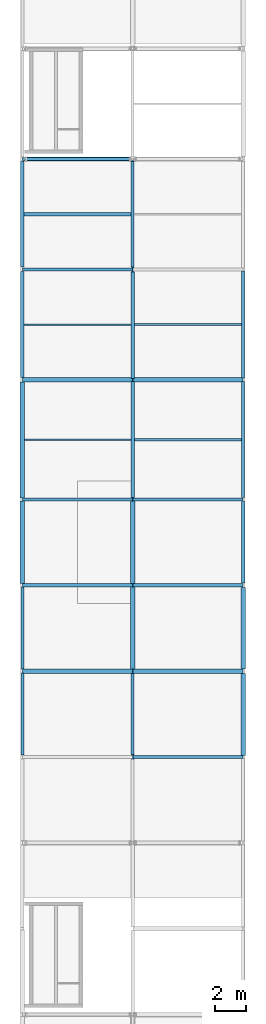
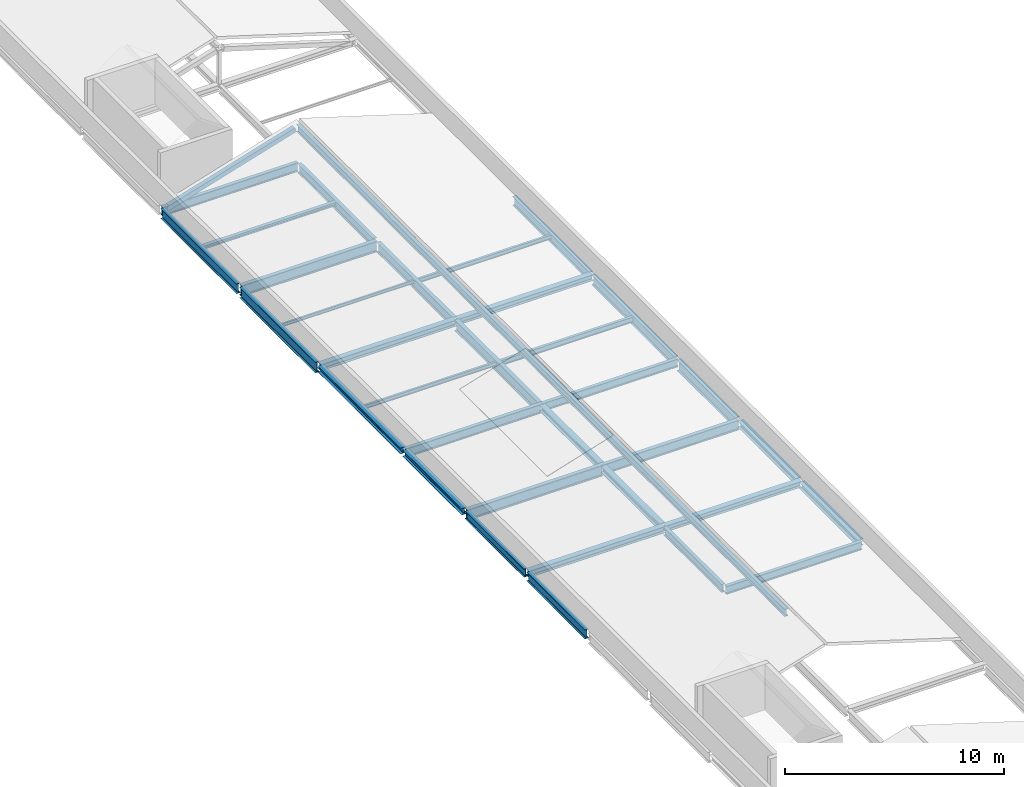
# One storey, part 2 of 9: 34 beams, 1 member.
"""IFC4 building model written with IfcOpenShell, lengths in metres."""

from ifc_helpers import new_model, si_unit, direction, frame, origin, origin_2d, place, context, subcontext, project, spatial, hollow_rectangle, i_section, extrude, material, material_profile, profile_set, type_object, element, save


model = new_model("IFC4")

# Units and contexts
model_context = context("Model", 3, precision=1e-05, world=origin(), true_north=direction((0.0, 1.0)))
body_context = subcontext(model_context, "Body", "Model", "MODEL_VIEW")
ifc_project = project(units=[si_unit("LENGTHUNIT", "METRE"), si_unit("AREAUNIT", "SQUARE_METRE"), si_unit("VOLUMEUNIT", "CUBIC_METRE"), si_unit("PLANEANGLEUNIT", "RADIAN"), si_unit("MASSUNIT", "GRAM", prefix="KILO")], contexts=[model_context])

# Site, building, storey
site_placement = place(None, origin())
site = spatial("IfcSite", under=ifc_project, at=site_placement, CompositionType="ELEMENT")
building_placement = place(site_placement, origin())
building = spatial("IfcBuilding", under=site, at=building_placement, Name="Vinh Khe Railworks Police Headquarters", CompositionType="ELEMENT")
storey_placement = place(building_placement, frame((0.0, 0.0, 36.60009765625)))
storey = spatial("IfcBuildingStorey", under=building, at=storey_placement, Name="RF", CompositionType="ELEMENT", Elevation=36.60009765625)

# Beams
ifc_material = material(Name="Steel S355JR", Category="steel")
ifc_material_profile_1 = material_profile(ifc_material, i_section(OverallWidth=0.199951171875, OverallDepth=0.18994140625, WebThickness=0.006591796875, FlangeThickness=0.010009765625, FilletRadius=0.01806640625, at=origin_2d()), Name="HEA 200")
ifc_profile_set_1 = profile_set([ifc_material_profile_1], Name="Steel S355JR")
beam_type_1 = type_object("IfcBeamType", Name="Secondary Joist HEA 200", PredefinedType="JOIST", material=ifc_profile_set_1)
beam_1_placement = place(storey_placement, frame((0.705078125, 77.39990234375, -0.275146484375), z_axis=(1.0, 0.0, 0.0), x_axis=(0.0, 1.0, 0.0)))
element("IfcBeam", 1, at=beam_1_placement, inside=storey, type_object=beam_type_1, Name="Secondary Joist JST-RF-SJ-09-0090", PredefinedType="JOIST", context=body_context, shape_type="SweptSolid", body=[
    extrude(i_section(OverallWidth=0.199951171875, OverallDepth=0.18994140625, WebThickness=0.006591796875, FlangeThickness=0.010009765625, FilletRadius=0.01806640625, at=origin_2d()), origin(), (0.0, 0.0, 1.0), 6.994873046875),
])
ifc_material_profile_2 = material_profile(ifc_material, i_section(OverallWidth=0.091064453125, OverallDepth=0.179931640625, WebThickness=0.00537109375, FlangeThickness=0.008056640625, FilletRadius=0.009033203125, at=origin_2d()), Name="IPE 180")
ifc_profile_set_2 = profile_set([ifc_material_profile_2], Name="Steel S355JR")
beam_type_2 = type_object("IfcBeamType", Name="Secondary Joist IPE 180", PredefinedType="JOIST", material=ifc_profile_set_2)
beam_2_placement = place(storey_placement, frame((0.7099609375, 70.199951171875, -0.27001953125), z_axis=(1.0, 0.0, 0.0), x_axis=(0.0, 1.0, 0.0)))
element("IfcBeam", 2, at=beam_2_placement, inside=storey, type_object=beam_type_2, Name="Secondary Joist JST-RF-SJ-07-0089", PredefinedType="JOIST", context=body_context, shape_type="SweptSolid", body=[
    extrude(i_section(OverallWidth=0.091064453125, OverallDepth=0.179931640625, WebThickness=0.00537109375, FlangeThickness=0.008056640625, FilletRadius=0.009033203125, at=origin_2d()), origin(), (0.0, 0.0, 1.0), 6.985107421875),
])
ifc_material_profile_3 = material_profile(ifc_material, i_section(OverallWidth=0.110107421875, OverallDepth=0.219970703125, WebThickness=0.005859375, FlangeThickness=0.00927734375, FilletRadius=0.011962890625, at=origin_2d()), Name="IPE 220")
ifc_profile_set_3 = profile_set([ifc_material_profile_3], Name="Steel S355JR")
beam_type_3 = type_object("IfcBeamType", Name="Secondary Joist IPE 220", PredefinedType="JOIST", material=ifc_profile_set_3)
beam_3_placement = place(storey_placement, frame((0.75, 62.699951171875, -0.2900390625), z_axis=(1.0, 0.0, 0.0), x_axis=(0.0, 1.0, 0.0)))
element("IfcBeam", 3, at=beam_3_placement, inside=storey, type_object=beam_type_3, Name="Secondary Joist JST-RF-SJ-05-0088", PredefinedType="JOIST", context=body_context, shape_type="SweptSolid", body=[
    extrude(i_section(OverallWidth=0.110107421875, OverallDepth=0.219970703125, WebThickness=0.005859375, FlangeThickness=0.00927734375, FilletRadius=0.011962890625, at=origin_2d()), origin(), (0.0, 0.0, 1.0), 6.93994140625),
])
ifc_material_profile_4 = material_profile(ifc_material, i_section(OverallWidth=0.1201171875, OverallDepth=0.239990234375, WebThickness=0.006103515625, FlangeThickness=0.009765625, FilletRadius=0.014892578125, at=origin_2d()), Name="IPE 240")
ifc_profile_set_4 = profile_set([ifc_material_profile_4], Name="Steel S355JR")
beam_type_4 = type_object("IfcBeamType", Name="Secondary Joist IPE 240", PredefinedType="JOIST", material=ifc_profile_set_4)
beam_4_placement = place(storey_placement, frame((7.905029296875, 70.199951171875, -0.300048828125), z_axis=(1.0, 0.0, 0.0), x_axis=(0.0, 1.0, 0.0)))
element("IfcBeam", 4, at=beam_4_placement, inside=storey, type_object=beam_type_4, Name="Secondary Joist JST-RF-SJ-04-0095", PredefinedType="JOIST", context=body_context, shape_type="SweptSolid", body=[
    extrude(i_section(OverallWidth=0.1201171875, OverallDepth=0.239990234375, WebThickness=0.006103515625, FlangeThickness=0.009765625, FilletRadius=0.014892578125, at=origin_2d()), origin(), (0.0, 0.0, 1.0), 6.994873046875),
])
ifc_material_profile_5 = material_profile(ifc_material, i_section(OverallWidth=0.14990234375, OverallDepth=0.300048828125, WebThickness=0.007080078125, FlangeThickness=0.0107421875, FilletRadius=0.014892578125, at=origin_2d()), Name="IPE 300")
ifc_profile_set_5 = profile_set([ifc_material_profile_5], Name="Steel S355JR")
beam_type_5 = type_object("IfcBeamType", Name="Secondary Joist IPE 300", PredefinedType="JOIST", material=ifc_profile_set_5)
beam_5_placement = place(storey_placement, frame((7.909912109375, 62.699951171875, -0.330078125), z_axis=(1.0, 0.0, 0.0), x_axis=(0.0, 1.0, 0.0)))
element("IfcBeam", 5, at=beam_5_placement, inside=storey, type_object=beam_type_5, Name="Secondary Joist JST-RF-SJ-02-0094", PredefinedType="JOIST", context=body_context, shape_type="SweptSolid", body=[
    extrude(i_section(OverallWidth=0.14990234375, OverallDepth=0.300048828125, WebThickness=0.007080078125, FlangeThickness=0.0107421875, FilletRadius=0.014892578125, at=origin_2d()), origin(), (0.0, 0.0, 1.0), 6.985107421875),
])
ifc_material_profile_6 = material_profile(ifc_material, i_section(OverallWidth=0.300048828125, OverallDepth=0.330078125, WebThickness=0.009521484375, FlangeThickness=0.0166015625, FilletRadius=0.027099609375, at=origin_2d()), Name="HEA 340")
ifc_profile_set_6 = profile_set([ifc_material_profile_6], Name="Steel S355JR")
beam_type_6 = type_object("IfcBeamType", Name="Steel Girder HEA 340", PredefinedType="BEAM", material=ifc_profile_set_6)
for number, where, z_axis, x_axis, name in (
    (6, (7.820068359375, 47.60009765625, -0.34521484375), (1.0, 0.0, 0.0), (0.0, 1.0, 0.0), "Girder BM-RF-EW-SB-16-2036"),
    (7, (7.820068359375, 66.60009765625, -0.34521484375), (1.0, 0.0, 0.0), (0.0, 1.0, 0.0), "Girder BM-RF-EW-SB-16-2042"),
):
    element("IfcBeam", number, at=place(storey_placement, frame(where, z_axis=z_axis, x_axis=x_axis)), inside=storey, type_object=beam_type_6, Name=name, PredefinedType="BEAM", context=body_context, shape_type="SweptSolid", body=[
        extrude(i_section(OverallWidth=0.300048828125, OverallDepth=0.330078125, WebThickness=0.009521484375, FlangeThickness=0.0166015625, FilletRadius=0.027099609375, at=origin_2d()), origin(), (0.0, 0.0, 1.0), 7.159912109375),
    ])
beam_6_placement = place(storey_placement, frame((0.60009765625, 58.89501953125, -0.34521484375), z_axis=(0.0, 1.0, 0.0), x_axis=(-1.0, 0.0, 0.0)))
element("IfcBeam", 8, at=beam_6_placement, inside=storey, type_object=beam_type_6, Name="Girder BM-RF-NS-SB-16-2060", PredefinedType="BEAM", context=body_context, shape_type="SweptSolid", body=[
    extrude(i_section(OverallWidth=0.300048828125, OverallDepth=0.330078125, WebThickness=0.009521484375, FlangeThickness=0.0166015625, FilletRadius=0.027099609375, at=origin_2d()), origin(), (0.0, 0.0, 1.0), 7.550048828125),
])
beam_7_placement = place(storey_placement, frame((7.800048828125, 53.324951171875, -0.34521484375), z_axis=(0.0, 1.0, 0.0), x_axis=(-1.0, 0.0, 0.0)))
element("IfcBeam", 9, at=beam_7_placement, inside=storey, type_object=beam_type_6, Name="Girder BM-RF-NS-SB-16-2072", PredefinedType="BEAM", context=body_context, shape_type="SweptSolid", body=[
    extrude(i_section(OverallWidth=0.300048828125, OverallDepth=0.330078125, WebThickness=0.009521484375, FlangeThickness=0.0166015625, FilletRadius=0.027099609375, at=origin_2d()), origin(), (0.0, 0.0, 1.0), 5.360107421875),
])
beam_8_placement = place(storey_placement, frame((15.0, 47.7548828125, -0.34521484375), z_axis=(0.0, 1.0, 0.0), x_axis=(-1.0, 0.0, 0.0)))
element("IfcBeam", 10, at=beam_8_placement, inside=storey, type_object=beam_type_6, Name="Girder BM-RF-NS-SB-16-2084", PredefinedType="BEAM", context=body_context, shape_type="SweptSolid", body=[
    extrude(i_section(OverallWidth=0.300048828125, OverallDepth=0.330078125, WebThickness=0.009521484375, FlangeThickness=0.0166015625, FilletRadius=0.027099609375, at=origin_2d()), origin(), (0.0, 0.0, 1.0), 5.300048828125),
])
ifc_material_profile_7 = material_profile(ifc_material, i_section(OverallWidth=0.300048828125, OverallDepth=0.35009765625, WebThickness=0.010009765625, FlangeThickness=0.017578125, FilletRadius=0.027099609375, at=origin_2d()), Name="HEA 360")
ifc_profile_set_7 = profile_set([ifc_material_profile_7], Name="Steel S355JR")
beam_type_7 = type_object("IfcBeamType", Name="Steel Girder HEA 360", PredefinedType="BEAM", material=ifc_profile_set_7)
for number, where, z_axis, x_axis, name in (
    (11, (0.6201171875, 47.60009765625, -0.35498046875), (1.0, 0.0, 0.0), (0.0, 1.0, 0.0), "Girder BM-RF-EW-SB-15-2035"),
    (12, (0.6201171875, 66.60009765625, -0.35498046875), (1.0, 0.0, 0.0), (0.0, 1.0, 0.0), "Girder BM-RF-EW-SB-15-2041"),
):
    element("IfcBeam", number, at=place(storey_placement, frame(where, z_axis=z_axis, x_axis=x_axis)), inside=storey, type_object=beam_type_7, Name=name, PredefinedType="BEAM", context=body_context, shape_type="SweptSolid", body=[
        extrude(i_section(OverallWidth=0.300048828125, OverallDepth=0.35009765625, WebThickness=0.010009765625, FlangeThickness=0.017578125, FilletRadius=0.027099609375, at=origin_2d()), origin(), (0.0, 0.0, 1.0), 7.159912109375),
    ])
beam_9_placement = place(storey_placement, frame((0.60009765625, 53.31494140625, -0.35498046875), z_axis=(0.0, 1.0, 0.0), x_axis=(-1.0, 0.0, 0.0)))
element("IfcBeam", 13, at=beam_9_placement, inside=storey, type_object=beam_type_7, Name="Girder BM-RF-NS-SB-15-2059", PredefinedType="BEAM", context=body_context, shape_type="SweptSolid", body=[
    extrude(i_section(OverallWidth=0.300048828125, OverallDepth=0.35009765625, WebThickness=0.010009765625, FlangeThickness=0.017578125, FilletRadius=0.027099609375, at=origin_2d()), origin(), (0.0, 0.0, 1.0), 5.39013671875),
])
beam_10_placement = place(storey_placement, frame((7.800048828125, 47.7451171875, -0.35498046875), z_axis=(0.0, 1.0, 0.0), x_axis=(-1.0, 0.0, 0.0)))
element("IfcBeam", 14, at=beam_10_placement, inside=storey, type_object=beam_type_7, Name="Girder BM-RF-NS-SB-15-2071", PredefinedType="BEAM", context=body_context, shape_type="SweptSolid", body=[
    extrude(i_section(OverallWidth=0.300048828125, OverallDepth=0.35009765625, WebThickness=0.010009765625, FlangeThickness=0.017578125, FilletRadius=0.027099609375, at=origin_2d()), origin(), (0.0, 0.0, 1.0), 5.329833984375),
])
beam_11_placement = place(storey_placement, frame((15.0, 42.094970703125, -0.35498046875), z_axis=(0.0, 1.0, 0.0), x_axis=(-1.0, 0.0, 0.0)))
element("IfcBeam", 15, at=beam_11_placement, inside=storey, type_object=beam_type_7, Name="Girder BM-RF-NS-SB-15-2083", PredefinedType="BEAM", context=body_context, shape_type="SweptSolid", body=[
    extrude(i_section(OverallWidth=0.300048828125, OverallDepth=0.35009765625, WebThickness=0.010009765625, FlangeThickness=0.017578125, FilletRadius=0.027099609375, at=origin_2d()), origin(), (0.0, 0.0, 1.0), 5.35009765625),
])
ifc_material_profile_8 = material_profile(ifc_material, i_section(OverallWidth=0.179931640625, OverallDepth=0.39990234375, WebThickness=0.008544921875, FlangeThickness=0.013427734375, FilletRadius=0.02099609375, at=origin_2d()), Name="IPE 400")
ifc_profile_set_8 = profile_set([ifc_material_profile_8], Name="Steel S355JR")
beam_type_8 = type_object("IfcBeamType", Name="Steel Girder IPE 400", PredefinedType="BEAM", material=ifc_profile_set_8)
beam_12_placement = place(storey_placement, frame((7.800048828125, 36.39990234375, 1.719970703125), z_axis=(0.0, 1.0, 0.0), x_axis=(-1.0, 0.0, 0.0)))
element("IfcBeam", 16, at=beam_12_placement, inside=storey, type_object=beam_type_8, Name="Heritage Roof Ridge Beam 2", PredefinedType="BEAM", context=body_context, shape_type="SweptSolid", body=[
    extrude(i_section(OverallWidth=0.179931640625, OverallDepth=0.39990234375, WebThickness=0.008544921875, FlangeThickness=0.013427734375, FilletRadius=0.02099609375, at=origin_2d()), origin(), (0.0, 0.0, 1.0), 44.60009765625),
])
ifc_material_profile_9 = material_profile(ifc_material, i_section(OverallWidth=0.18994140625, OverallDepth=0.449951171875, WebThickness=0.009521484375, FlangeThickness=0.0146484375, FilletRadius=0.02099609375, at=origin_2d()), Name="IPE 450")
ifc_profile_set_9 = profile_set([ifc_material_profile_9], Name="Steel S355JR")
beam_type_9 = type_object("IfcBeamType", Name="Steel Girder IPE 450", PredefinedType="BEAM", material=ifc_profile_set_9)
for number, where, z_axis, x_axis, name in (
    (17, (7.820068359375, 42.0, -0.405029296875), (1.0, 0.0, 0.0), (0.0, 1.0, 0.0), "Girder BM-RF-EW-SB-20-2034"),
    (18, (7.820068359375, 58.800048828125, -0.405029296875), (1.0, 0.0, 0.0), (0.0, 1.0, 0.0), "Girder BM-RF-EW-SB-20-2040"),
):
    element("IfcBeam", number, at=place(storey_placement, frame(where, z_axis=z_axis, x_axis=x_axis)), inside=storey, type_object=beam_type_9, Name=name, PredefinedType="BEAM", context=body_context, shape_type="SweptSolid", body=[
        extrude(i_section(OverallWidth=0.18994140625, OverallDepth=0.449951171875, WebThickness=0.009521484375, FlangeThickness=0.0146484375, FilletRadius=0.02099609375, at=origin_2d()), origin(), (0.0, 0.0, 1.0), 7.159912109375),
    ])
beam_13_placement = place(storey_placement, frame((0.60009765625, 47.72509765625, -0.405029296875), z_axis=(0.0, 1.0, 0.0), x_axis=(-1.0, 0.0, 0.0)))
element("IfcBeam", 19, at=beam_13_placement, inside=storey, type_object=beam_type_9, Name="Girder BM-RF-NS-SB-20-2058", PredefinedType="BEAM", context=body_context, shape_type="SweptSolid", body=[
    extrude(i_section(OverallWidth=0.18994140625, OverallDepth=0.449951171875, WebThickness=0.009521484375, FlangeThickness=0.0146484375, FilletRadius=0.02099609375, at=origin_2d()), origin(), (0.0, 0.0, 1.0), 5.35986328125),
])
beam_14_placement = place(storey_placement, frame((7.800048828125, 42.155029296875, -0.405029296875), z_axis=(0.0, 1.0, 0.0), x_axis=(-1.0, 0.0, 0.0)))
element("IfcBeam", 20, at=beam_14_placement, inside=storey, type_object=beam_type_9, Name="Girder BM-RF-NS-SB-20-2070", PredefinedType="BEAM", context=body_context, shape_type="SweptSolid", body=[
    extrude(i_section(OverallWidth=0.18994140625, OverallDepth=0.449951171875, WebThickness=0.009521484375, FlangeThickness=0.0146484375, FilletRadius=0.02099609375, at=origin_2d()), origin(), (0.0, 0.0, 1.0), 5.300048828125),
])
ifc_material_profile_10 = material_profile(ifc_material, i_section(OverallWidth=0.199951171875, OverallDepth=0.5, WebThickness=0.01025390625, FlangeThickness=0.01611328125, FilletRadius=0.02099609375, at=origin_2d()), Name="IPE 500")
ifc_profile_set_10 = profile_set([ifc_material_profile_10], Name="Steel S355JR")
beam_type_10 = type_object("IfcBeamType", Name="Steel Girder IPE 500", PredefinedType="BEAM", material=ifc_profile_set_10)
for number, where, z_axis, x_axis, name in (
    (21, (0.6201171875, 58.800048828125, -0.43017578125), (1.0, 0.0, 0.0), (0.0, 1.0, 0.0), "Girder BM-RF-EW-SB-19-2039"),
    (22, (0.6201171875, 81.0, -0.43017578125), (1.0, 0.0, 0.0), (0.0, 1.0, 0.0), "Girder BM-RF-EW-SB-19-2045"),
):
    element("IfcBeam", number, at=place(storey_placement, frame(where, z_axis=z_axis, x_axis=x_axis)), inside=storey, type_object=beam_type_10, Name=name, PredefinedType="BEAM", context=body_context, shape_type="SweptSolid", body=[
        extrude(i_section(OverallWidth=0.199951171875, OverallDepth=0.5, WebThickness=0.01025390625, FlangeThickness=0.01611328125, FilletRadius=0.02099609375, at=origin_2d()), origin(), (0.0, 0.0, 1.0), 7.159912109375),
    ])
beam_15_placement = place(storey_placement, frame((0.60009765625, 42.14501953125, -0.43017578125), z_axis=(0.0, 1.0, 0.0), x_axis=(-1.0, 0.0, 0.0)))
element("IfcBeam", 23, at=beam_15_placement, inside=storey, type_object=beam_type_10, Name="Girder BM-RF-NS-SB-19-2057", PredefinedType="BEAM", context=body_context, shape_type="SweptSolid", body=[
    extrude(i_section(OverallWidth=0.199951171875, OverallDepth=0.5, WebThickness=0.01025390625, FlangeThickness=0.01611328125, FilletRadius=0.02099609375, at=origin_2d()), origin(), (0.0, 0.0, 1.0), 5.330078125),
])
beam_16_placement = place(storey_placement, frame((7.800048828125, 73.955078125, -0.43017578125), z_axis=(0.0, 1.0, 0.0), x_axis=(-1.0, 0.0, 0.0)))
element("IfcBeam", 24, at=beam_16_placement, inside=storey, type_object=beam_type_10, Name="Girder BM-RF-NS-SB-19-2075", PredefinedType="BEAM", context=body_context, shape_type="SweptSolid", body=[
    extrude(i_section(OverallWidth=0.199951171875, OverallDepth=0.5, WebThickness=0.01025390625, FlangeThickness=0.01611328125, FilletRadius=0.02099609375, at=origin_2d()), origin(), (0.0, 0.0, 1.0), 6.89990234375),
])
beam_17_placement = place(storey_placement, frame((15.0, 66.715087890625, -0.43017578125), z_axis=(0.0, 1.0, 0.0), x_axis=(-1.0, 0.0, 0.0)))
element("IfcBeam", 25, at=beam_17_placement, inside=storey, type_object=beam_type_10, Name="Girder BM-RF-NS-SB-19-2087", PredefinedType="BEAM", context=body_context, shape_type="SweptSolid", body=[
    extrude(i_section(OverallWidth=0.199951171875, OverallDepth=0.5, WebThickness=0.01025390625, FlangeThickness=0.01611328125, FilletRadius=0.02099609375, at=origin_2d()), origin(), (0.0, 0.0, 1.0), 6.989990234375),
])
ifc_material_profile_11 = material_profile(ifc_material, i_section(OverallWidth=0.2099609375, OverallDepth=0.550048828125, WebThickness=0.010986328125, FlangeThickness=0.01708984375, FilletRadius=0.02392578125, at=origin_2d()), Name="IPE 550")
ifc_profile_set_11 = profile_set([ifc_material_profile_11], Name="Steel S355JR")
beam_type_11 = type_object("IfcBeamType", Name="Steel Girder IPE 550", PredefinedType="BEAM", material=ifc_profile_set_11)
beam_18_placement = place(storey_placement, frame((7.820068359375, 53.199951171875, -0.455078125), z_axis=(1.0, 0.0, 0.0), x_axis=(0.0, 1.0, 0.0)))
element("IfcBeam", 26, at=beam_18_placement, inside=storey, type_object=beam_type_11, Name="Girder BM-RF-EW-SB-18-2038", PredefinedType="BEAM", context=body_context, shape_type="SweptSolid", body=[
    extrude(i_section(OverallWidth=0.2099609375, OverallDepth=0.550048828125, WebThickness=0.010986328125, FlangeThickness=0.01708984375, FilletRadius=0.02392578125, at=origin_2d()), origin(), (0.0, 0.0, 1.0), 7.159912109375),
])
beam_19_placement = place(storey_placement, frame((0.60009765625, 73.945068359375, -0.455078125), z_axis=(0.0, 1.0, 0.0), x_axis=(-1.0, 0.0, 0.0)))
element("IfcBeam", 27, at=beam_19_placement, inside=storey, type_object=beam_type_11, Name="Girder BM-RF-NS-SB-18-2062", PredefinedType="BEAM", context=body_context, shape_type="SweptSolid", body=[
    extrude(i_section(OverallWidth=0.2099609375, OverallDepth=0.550048828125, WebThickness=0.010986328125, FlangeThickness=0.01708984375, FilletRadius=0.02392578125, at=origin_2d()), origin(), (0.0, 0.0, 1.0), 6.929931640625),
])
beam_20_placement = place(storey_placement, frame((7.800048828125, 66.695068359375, -0.455078125), z_axis=(0.0, 1.0, 0.0), x_axis=(-1.0, 0.0, 0.0)))
element("IfcBeam", 28, at=beam_20_placement, inside=storey, type_object=beam_type_11, Name="Girder BM-RF-NS-SB-18-2074", PredefinedType="BEAM", context=body_context, shape_type="SweptSolid", body=[
    extrude(i_section(OverallWidth=0.2099609375, OverallDepth=0.550048828125, WebThickness=0.010986328125, FlangeThickness=0.01708984375, FilletRadius=0.02392578125, at=origin_2d()), origin(), (0.0, 0.0, 1.0), 6.949951171875),
])
beam_21_placement = place(storey_placement, frame((15.0, 58.925048828125, -0.455078125), z_axis=(0.0, 1.0, 0.0), x_axis=(-1.0, 0.0, 0.0)))
element("IfcBeam", 29, at=beam_21_placement, inside=storey, type_object=beam_type_11, Name="Girder BM-RF-NS-SB-18-2086", PredefinedType="BEAM", context=body_context, shape_type="SweptSolid", body=[
    extrude(i_section(OverallWidth=0.2099609375, OverallDepth=0.550048828125, WebThickness=0.010986328125, FlangeThickness=0.01708984375, FilletRadius=0.02392578125, at=origin_2d()), origin(), (0.0, 0.0, 1.0), 7.56005859375),
])
ifc_material_profile_12 = material_profile(ifc_material, i_section(OverallWidth=0.219970703125, OverallDepth=0.60009765625, WebThickness=0.011962890625, FlangeThickness=0.01904296875, FilletRadius=0.02392578125, at=origin_2d()), Name="IPE 600")
ifc_profile_set_12 = profile_set([ifc_material_profile_12], Name="Steel S355JR")
beam_type_12 = type_object("IfcBeamType", Name="Steel Girder IPE 600", PredefinedType="BEAM", material=ifc_profile_set_12)
for number, where, z_axis, x_axis, name in (
    (30, (0.6201171875, 53.199951171875, -0.47998046875), (1.0, 0.0, 0.0), (0.0, 1.0, 0.0), "Girder BM-RF-EW-SB-17-2037"),
    (31, (0.6201171875, 73.800048828125, -0.47998046875), (1.0, 0.0, 0.0), (0.0, 1.0, 0.0), "Girder BM-RF-EW-SB-17-2043"),
):
    element("IfcBeam", number, at=place(storey_placement, frame(where, z_axis=z_axis, x_axis=x_axis)), inside=storey, type_object=beam_type_12, Name=name, PredefinedType="BEAM", context=body_context, shape_type="SweptSolid", body=[
        extrude(i_section(OverallWidth=0.219970703125, OverallDepth=0.60009765625, WebThickness=0.011962890625, FlangeThickness=0.01904296875, FilletRadius=0.02392578125, at=origin_2d()), origin(), (0.0, 0.0, 1.0), 7.159912109375),
    ])
beam_22_placement = place(storey_placement, frame((0.60009765625, 66.7548828125, -0.47998046875), z_axis=(0.0, 1.0, 0.0), x_axis=(-1.0, 0.0, 0.0)))
element("IfcBeam", 32, at=beam_22_placement, inside=storey, type_object=beam_type_12, Name="Girder BM-RF-NS-SB-17-2061", PredefinedType="BEAM", context=body_context, shape_type="SweptSolid", body=[
    extrude(i_section(OverallWidth=0.219970703125, OverallDepth=0.60009765625, WebThickness=0.011962890625, FlangeThickness=0.01904296875, FilletRadius=0.02392578125, at=origin_2d()), origin(), (0.0, 0.0, 1.0), 6.900146484375),
])
beam_23_placement = place(storey_placement, frame((7.800048828125, 58.9150390625, -0.47998046875), z_axis=(0.0, 1.0, 0.0), x_axis=(-1.0, 0.0, 0.0)))
element("IfcBeam", 33, at=beam_23_placement, inside=storey, type_object=beam_type_12, Name="Girder BM-RF-NS-SB-17-2073", PredefinedType="BEAM", context=body_context, shape_type="SweptSolid", body=[
    extrude(i_section(OverallWidth=0.219970703125, OverallDepth=0.60009765625, WebThickness=0.011962890625, FlangeThickness=0.01904296875, FilletRadius=0.02392578125, at=origin_2d()), origin(), (0.0, 0.0, 1.0), 7.58984375),
])
beam_24_placement = place(storey_placement, frame((15.0, 53.344970703125, -0.47998046875), z_axis=(0.0, 1.0, 0.0), x_axis=(-1.0, 0.0, 0.0)))
element("IfcBeam", 34, at=beam_24_placement, inside=storey, type_object=beam_type_12, Name="Girder BM-RF-NS-SB-17-2085", PredefinedType="BEAM", context=body_context, shape_type="SweptSolid", body=[
    extrude(i_section(OverallWidth=0.219970703125, OverallDepth=0.60009765625, WebThickness=0.011962890625, FlangeThickness=0.01904296875, FilletRadius=0.02392578125, at=origin_2d()), origin(), (0.0, 0.0, 1.0), 5.330078125),
])

# Member
ifc_material_profile_13 = material_profile(ifc_material, hollow_rectangle(XDim=0.25, YDim=0.25, WallThickness=0.012451171875, at=origin_2d()), Name="SHS 250x250x12.5")
ifc_profile_set_13 = profile_set([ifc_material_profile_13], Name="Steel S355JR")
member_type = type_object("IfcMemberType", Name="Truss Chord SHS 250x250x12.5", PredefinedType="CHORD", material=ifc_profile_set_13)
member_placement = place(storey_placement, frame((0.85009765625, 81.0, -0.340087890625), z_axis=(0.956688920736, 0.0, 0.291112193046), x_axis=(0.0, 1.0, 0.0)))
element("IfcMember", 35, at=member_placement, inside=storey, type_object=member_type, Name="Heritage Gable Truss Chord 2W", PredefinedType="CHORD", context=body_context, shape_type="SweptSolid", body=[
    extrude(hollow_rectangle(XDim=0.25, YDim=0.25, WallThickness=0.012451171875, at=origin_2d()), origin(), (0.0, 0.0, 1.0), 7.076416015625),
])

save(model, "model.ifc")
